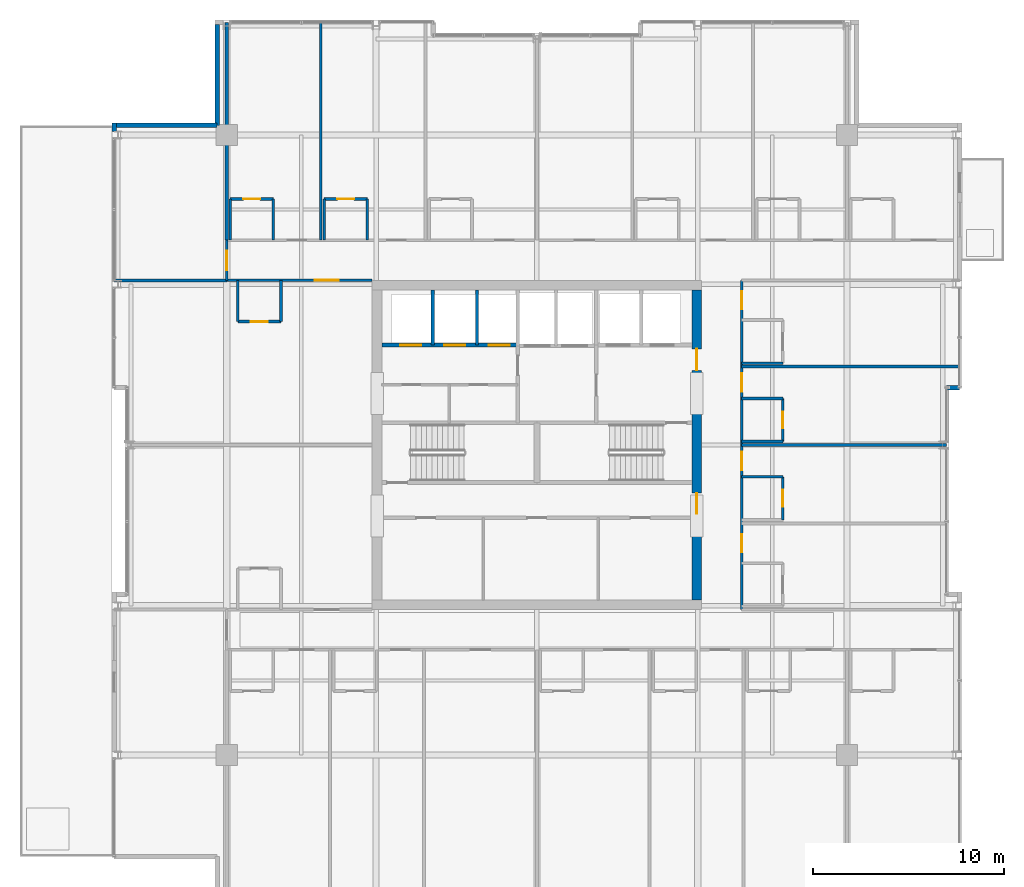
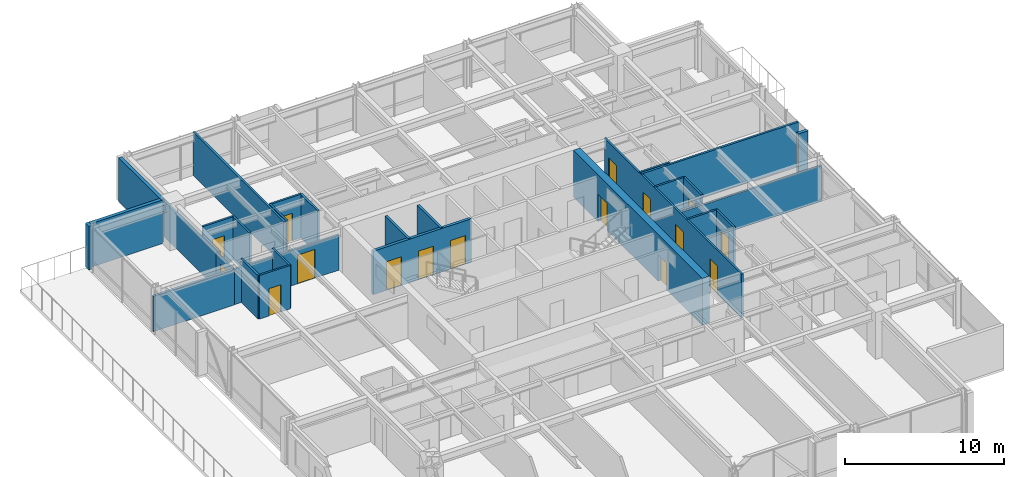
# One storey, part 27 of 32: 31 walls, 16 doors, 16 openings.
"""IFC4 building model written with IfcOpenShell, lengths in metres."""

from ifc_helpers import new_model, si_unit, direction, frame, frame_2d, origin, place, context, subcontext, project, spatial, rectangle, extrude, material, layer, layer_set, type_object, element, fill, save


model = new_model("IFC4")

# Units and contexts
model_context = context("Model", 3, precision=1e-05, world=origin(), true_north=direction((0.0, 1.0)))
body_context = subcontext(model_context, "Body", "Model", "MODEL_VIEW")
ifc_project = project(units=[si_unit("LENGTHUNIT", "METRE"), si_unit("AREAUNIT", "SQUARE_METRE"), si_unit("VOLUMEUNIT", "CUBIC_METRE"), si_unit("PLANEANGLEUNIT", "RADIAN"), si_unit("MASSUNIT", "GRAM", prefix="KILO")], contexts=[model_context])

# Site, building, storey
site_placement = place(None, origin())
site = spatial("IfcSite", under=ifc_project, at=site_placement, CompositionType="ELEMENT")
building_placement = place(site_placement, origin())
building = spatial("IfcBuilding", under=site, at=building_placement, Name="Drelvath Grand Hotel", CompositionType="ELEMENT")
storey_placement = place(building_placement, frame((0.0, 0.0, 205.10009765625)))
storey = spatial("IfcBuildingStorey", under=building, at=storey_placement, Name="L53", CompositionType="ELEMENT", Elevation=205.10009765625)

# Wall, openings, doors
ifc_material_1 = material(Name="Concrete C40/50", Category="concrete")
ifc_layer_1 = layer(ifc_material_1, 0.199951171875)
ifc_layer_set_1 = layer_set([ifc_layer_1], Name="Concrete C40/50")
wall_type_1 = type_object("IfcWallType", Name="Core Hoistway Fire Wall 200", PredefinedType="SOLIDWALL", material=ifc_layer_set_1)
wall_1_placement = place(storey_placement, frame((-8.10009765625, 32.219970703125, 0.0), z_axis=(0.0, 0.0, 1.0), x_axis=(1.0, 0.0, 0.0)))
wall_1 = element("IfcWall", 1, at=wall_1_placement, inside=storey, type_object=wall_type_1, Name="L53 Bank 3 Hoistway Wall", PredefinedType="SOLIDWALL", context=body_context, shape_type="SweptSolid", body=[
    extrude(rectangle(XDim=7.10009765625, YDim=0.199951171875, at=frame_2d((3.550048828125, 0.0))), origin(), (0.0, 0.0, 1.0), 3.33984375),
])
opening_1_placement = place(wall_1_placement, frame((0.949951171875, 0.0, 0.0)))
opening_1 = element("IfcOpeningElement", 2, at=opening_1_placement, cuts=wall_1, Name="Opening LD-PE-7", PredefinedType="OPENING", context=body_context, shape_type="SweptSolid", body=[
    extrude(rectangle(XDim=1.10009765625, YDim=2.199951171875, at=frame_2d((0.550048828125, 1.10009765625))), frame((0.0, 0.10986328125, 0.0), z_axis=(0.0, -1.0, 0.0), x_axis=(1.0, 0.0, 0.0)), (0.0, 0.0, 1.0), 0.219970703125),
])
opening_2_placement = place(wall_1_placement, frame((3.27001953125, 0.0, 0.0)))
opening_2 = element("IfcOpeningElement", 3, at=opening_2_placement, cuts=wall_1, Name="Opening LD-PE-8", PredefinedType="OPENING", context=body_context, shape_type="SweptSolid", body=[
    extrude(rectangle(XDim=1.10009765625, YDim=2.199951171875, at=frame_2d((0.550048828125, 1.10009765625))), frame((0.0, 0.10986328125, 0.0), z_axis=(0.0, -1.0, 0.0), x_axis=(1.0, 0.0, 0.0)), (0.0, 0.0, 1.0), 0.219970703125),
])
opening_3_placement = place(wall_1_placement, frame((5.590087890625, 0.0, 0.0)))
opening_3 = element("IfcOpeningElement", 4, at=opening_3_placement, cuts=wall_1, Name="Opening LD-PE-9", PredefinedType="OPENING", context=body_context, shape_type="SweptSolid", body=[
    extrude(rectangle(XDim=1.10009765625, YDim=2.199951171875, at=frame_2d((0.550048828125, 1.10009765625))), frame((0.0, 0.10986328125, 0.0), z_axis=(0.0, -1.0, 0.0), x_axis=(1.0, 0.0, 0.0)), (0.0, 0.0, 1.0), 0.219970703125),
])
ifc_material_2 = material(Name="Stainless Steel S355", Category="steel")
door_type_1 = type_object("IfcDoorType", Name="Passenger Lift Sliding Landing Door 1100x2200", OperationType="NOTDEFINED", PredefinedType="DOOR", material=ifc_material_2)
door_1_placement = place(opening_1_placement, origin())
door_1 = element("IfcDoor", 5, at=door_1_placement, inside=storey, type_object=door_type_1, Name="L53 Lift PE-7 Landing Door", OperationType="SLIDING_TO_LEFT", OverallHeight=2.199951171875, OverallWidth=1.10009765625, PredefinedType="DOOR", context=body_context, shape_type="SweptSolid", body=[
    extrude(rectangle(XDim=1.10009765625, YDim=2.199951171875, at=frame_2d((0.550048828125, 1.10009765625))), frame((0.0, 0.02490234375, 0.0), z_axis=(0.0, -1.0, 0.0), x_axis=(1.0, 0.0, 0.0)), (0.0, 0.0, 1.0), 0.050048828125),
])
fill(opening_1, door_1)
door_2_placement = place(opening_2_placement, origin())
door_2 = element("IfcDoor", 6, at=door_2_placement, inside=storey, type_object=door_type_1, Name="L53 Lift PE-8 Landing Door", OperationType="SLIDING_TO_LEFT", OverallHeight=2.199951171875, OverallWidth=1.10009765625, PredefinedType="DOOR", context=body_context, shape_type="SweptSolid", body=[
    extrude(rectangle(XDim=1.10009765625, YDim=2.199951171875, at=frame_2d((0.550048828125, 1.10009765625))), frame((0.0, 0.02490234375, 0.0), z_axis=(0.0, -1.0, 0.0), x_axis=(1.0, 0.0, 0.0)), (0.0, 0.0, 1.0), 0.050048828125),
])
fill(opening_2, door_2)
door_3_placement = place(opening_3_placement, origin())
door_3 = element("IfcDoor", 7, at=door_3_placement, inside=storey, type_object=door_type_1, Name="L53 Lift PE-9 Landing Door", OperationType="SLIDING_TO_LEFT", OverallHeight=2.199951171875, OverallWidth=1.10009765625, PredefinedType="DOOR", context=body_context, shape_type="SweptSolid", body=[
    extrude(rectangle(XDim=1.10009765625, YDim=2.199951171875, at=frame_2d((0.550048828125, 1.10009765625))), frame((0.0, 0.02490234375, 0.0), z_axis=(0.0, -1.0, 0.0), x_axis=(1.0, 0.0, 0.0)), (0.0, 0.0, 1.0), 0.050048828125),
])
fill(opening_3, door_3)

# Walls
ifc_material_3 = material(Name="Gypsum Fireboard Partition")
ifc_layer_2 = layer(ifc_material_3, 0.1650390625)
ifc_layer_set_2 = layer_set([ifc_layer_2], Name="Gypsum Fireboard Partition")
wall_type_2 = type_object("IfcWallType", Name="Core Shaft Partition 165", PredefinedType="PARTITIONING", material=ifc_layer_set_2)
for number, where, z_axis, x_axis, name in (
    (8, (-5.43994140625, 32.219970703125, 0.0), (0.0, 0.0, 1.0), (0.0, 1.0, 0.0), "L53 Lift PE-7/8 Divider"),
    (9, (-3.1201171875, 32.219970703125, 0.0), (0.0, 0.0, 1.0), (0.0, 1.0, 0.0), "L53 Lift PE-8/9 Divider"),
):
    element("IfcWall", number, at=place(storey_placement, frame(where, z_axis=z_axis, x_axis=x_axis)), inside=storey, type_object=wall_type_2, Name=name, PredefinedType="PARTITIONING", context=body_context, shape_type="SweptSolid", body=[
        extrude(rectangle(XDim=2.880126953125, YDim=0.1650390625, at=frame_2d((1.43994140625, 0.0))), origin(), (0.0, 0.0, 1.0), 3.33984375),
    ])

# Wall, opening, door
ifc_layer_3 = layer(ifc_material_3, 0.135009765625)
ifc_layer_set_3 = layer_set([ifc_layer_3], Name="Gypsum Fireboard Partition")
wall_type_3 = type_object("IfcWallType", Name="Corridor Fire Barrier Wall 135", PredefinedType="PARTITIONING", material=ifc_layer_set_3)
wall_2_placement = place(storey_placement, frame((-16.199951171875, 35.60009765625, 0.0), z_axis=(0.0, 0.0, 1.0), x_axis=(1.0, 0.0, 0.0)))
wall_2 = element("IfcWall", 10, at=wall_2_placement, inside=storey, type_object=wall_type_3, Name="L53 North Gallery Inner West Wall", PredefinedType="PARTITIONING", context=body_context, shape_type="SweptSolid", body=[
    extrude(rectangle(XDim=7.599853515625, YDim=0.135009765625, at=frame_2d((3.7998046875, 0.0))), origin(), (0.0, 0.0, 1.0), 2.71728515625),
])
opening_4_placement = place(wall_2_placement, frame((4.5849609375, 0.0, 0.0)))
opening_4 = element("IfcOpeningElement", 11, at=opening_4_placement, cuts=wall_2, Name="Opening D-T4G1-058", PredefinedType="OPENING", context=body_context, shape_type="SweptSolid", body=[
    extrude(rectangle(XDim=1.260009765625, YDim=2.199951171875, at=frame_2d((0.6298828125, 1.10009765625))), frame((0.0, 0.077392578125, 0.0), z_axis=(0.0, -1.0, 0.0), x_axis=(1.0, 0.0, 0.0)), (0.0, 0.0, 1.0), 0.155029296875),
])
ifc_material_4 = material(Name="Hardwood Walnut Timber", Category="wood")
door_type_2 = type_object("IfcDoorType", Name="Suite Entrance Fire Door 1260x2200", OperationType="NOTDEFINED", PredefinedType="DOOR", material=ifc_material_4)
door_4_placement = place(opening_4_placement, origin())
door_4 = element("IfcDoor", 12, at=door_4_placement, inside=storey, type_object=door_type_2, Name="L53 Diplomatic Suite Entry Door", OperationType="SINGLE_SWING_LEFT", OverallHeight=2.199951171875, OverallWidth=1.260009765625, PredefinedType="DOOR", context=body_context, shape_type="SweptSolid", body=[
    extrude(rectangle(XDim=1.260009765625, YDim=2.199951171875, at=frame_2d((0.6298828125, 1.10009765625))), frame((0.0, 0.02490234375, 0.0), z_axis=(0.0, -1.0, 0.0), x_axis=(1.0, 0.0, 0.0)), (0.0, 0.0, 1.0), 0.050048828125),
])
fill(opening_4, door_4)

# Wall, openings, doors
wall_3_placement = place(storey_placement, frame((10.699951171875, 18.39990234375, 0.0), z_axis=(0.0, 0.0, 1.0), x_axis=(0.0, 1.0, 0.0)))
wall_3 = element("IfcWall", 13, at=wall_3_placement, inside=storey, type_object=wall_type_3, Name="L53 East Gallery Link Wall", PredefinedType="PARTITIONING", context=body_context, shape_type="SweptSolid", body=[
    extrude(rectangle(XDim=17.2001953125, YDim=0.135009765625, at=frame_2d((8.60009765625, 0.0))), origin(), (0.0, 0.0, 1.0), 3.33984375),
])
opening_5_placement = place(wall_3_placement, frame((2.9873046875, 0.0, 0.0)))
opening_5 = element("IfcOpeningElement", 14, at=opening_5_placement, cuts=wall_3, Name="Opening D-T4G1-048", PredefinedType="OPENING", context=body_context, shape_type="SweptSolid", body=[
    extrude(rectangle(XDim=0.9599609375, YDim=2.14990234375, at=frame_2d((0.47998046875, 1.074951171875))), frame((0.0, 0.077392578125, 0.0), z_axis=(0.0, -1.0, 0.0), x_axis=(1.0, 0.0, 0.0)), (0.0, 0.0, 1.0), 0.155029296875),
])
opening_6_placement = place(wall_3_placement, frame((7.287353515625, 0.0, 0.0)))
opening_6 = element("IfcOpeningElement", 15, at=opening_6_placement, cuts=wall_3, Name="Opening D-T4G1-050", PredefinedType="OPENING", context=body_context, shape_type="SweptSolid", body=[
    extrude(rectangle(XDim=0.9599609375, YDim=2.14990234375, at=frame_2d((0.47998046875, 1.074951171875))), frame((0.0, 0.077392578125, 0.0), z_axis=(0.0, -1.0, 0.0), x_axis=(1.0, 0.0, 0.0)), (0.0, 0.0, 1.0), 0.155029296875),
])
opening_7_placement = place(wall_3_placement, frame((11.382568359375, 0.0, 0.0)))
opening_7 = element("IfcOpeningElement", 16, at=opening_7_placement, cuts=wall_3, Name="Opening D-T4G1-052", PredefinedType="OPENING", context=body_context, shape_type="SweptSolid", body=[
    extrude(rectangle(XDim=0.9599609375, YDim=2.14990234375, at=frame_2d((0.47998046875, 1.074951171875))), frame((0.0, 0.077392578125, 0.0), z_axis=(0.0, -1.0, 0.0), x_axis=(1.0, 0.0, 0.0)), (0.0, 0.0, 1.0), 0.155029296875),
])
opening_8_placement = place(wall_3_placement, frame((15.6826171875, 0.0, 0.0)))
opening_8 = element("IfcOpeningElement", 17, at=opening_8_placement, cuts=wall_3, Name="Opening D-T4G1-054", PredefinedType="OPENING", context=body_context, shape_type="SweptSolid", body=[
    extrude(rectangle(XDim=0.9599609375, YDim=2.14990234375, at=frame_2d((0.47998046875, 1.074951171875))), frame((0.0, 0.077392578125, 0.0), z_axis=(0.0, -1.0, 0.0), x_axis=(1.0, 0.0, 0.0)), (0.0, 0.0, 1.0), 0.155029296875),
])
door_type_3 = type_object("IfcDoorType", Name="Guestroom Entrance Fire Door 960x2150", OperationType="NOTDEFINED", PredefinedType="DOOR", material=ifc_material_4)
door_5_placement = place(opening_5_placement, origin())
door_5 = element("IfcDoor", 18, at=door_5_placement, inside=storey, type_object=door_type_3, Name="L53 Deluxe Guest Room Entry Door", OperationType="SINGLE_SWING_LEFT", OverallHeight=2.14990234375, OverallWidth=0.9599609375, PredefinedType="DOOR", context=body_context, shape_type="SweptSolid", body=[
    extrude(rectangle(XDim=0.9599609375, YDim=2.14990234375, at=frame_2d((0.47998046875, 1.074951171875))), frame((0.0, 0.02490234375, 0.0), z_axis=(0.0, -1.0, 0.0), x_axis=(1.0, 0.0, 0.0)), (0.0, 0.0, 1.0), 0.050048828125),
])
fill(opening_5, door_5)
door_6_placement = place(opening_6_placement, origin())
door_6 = element("IfcDoor", 19, at=door_6_placement, inside=storey, type_object=door_type_3, Name="L53 Deluxe Guest Room Entry Door", OperationType="SINGLE_SWING_LEFT", OverallHeight=2.14990234375, OverallWidth=0.9599609375, PredefinedType="DOOR", context=body_context, shape_type="SweptSolid", body=[
    extrude(rectangle(XDim=0.9599609375, YDim=2.14990234375, at=frame_2d((0.47998046875, 1.074951171875))), frame((0.0, 0.02490234375, 0.0), z_axis=(0.0, -1.0, 0.0), x_axis=(1.0, 0.0, 0.0)), (0.0, 0.0, 1.0), 0.050048828125),
])
fill(opening_6, door_6)
door_7_placement = place(opening_7_placement, origin())
door_7 = element("IfcDoor", 20, at=door_7_placement, inside=storey, type_object=door_type_3, Name="L53 Deluxe Guest Room Entry Door", OperationType="SINGLE_SWING_LEFT", OverallHeight=2.14990234375, OverallWidth=0.9599609375, PredefinedType="DOOR", context=body_context, shape_type="SweptSolid", body=[
    extrude(rectangle(XDim=0.9599609375, YDim=2.14990234375, at=frame_2d((0.47998046875, 1.074951171875))), frame((0.0, 0.02490234375, 0.0), z_axis=(0.0, -1.0, 0.0), x_axis=(1.0, 0.0, 0.0)), (0.0, 0.0, 1.0), 0.050048828125),
])
fill(opening_7, door_7)
door_8_placement = place(opening_8_placement, origin())
door_8 = element("IfcDoor", 21, at=door_8_placement, inside=storey, type_object=door_type_3, Name="L53 Deluxe Guest Room Entry Door", OperationType="SINGLE_SWING_LEFT", OverallHeight=2.14990234375, OverallWidth=0.9599609375, PredefinedType="DOOR", context=body_context, shape_type="SweptSolid", body=[
    extrude(rectangle(XDim=0.9599609375, YDim=2.14990234375, at=frame_2d((0.47998046875, 1.074951171875))), frame((0.0, 0.02490234375, 0.0), z_axis=(0.0, -1.0, 0.0), x_axis=(1.0, 0.0, 0.0)), (0.0, 0.0, 1.0), 0.050048828125),
])
fill(opening_8, door_8)

# Wall, opening, door
wall_4_placement = place(storey_placement, frame((-16.199951171875, 35.60009765625, 0.0), z_axis=(0.0, 0.0, 1.0), x_axis=(0.0, 1.0, 0.0)))
wall_4 = element("IfcWall", 22, at=wall_4_placement, inside=storey, type_object=wall_type_3, Name="L53 North Gallery West End", PredefinedType="PARTITIONING", context=body_context, shape_type="SweptSolid", body=[
    extrude(rectangle(XDim=2.099853515625, YDim=0.135009765625, at=frame_2d((1.0498046875, 0.0))), origin(), (0.0, 0.0, 1.0), 2.713623046875),
])
opening_9_placement = place(wall_4_placement, frame((0.52001953125, 0.0, 0.0)))
opening_9 = element("IfcOpeningElement", 23, at=opening_9_placement, cuts=wall_4, Name="Opening D-T4G1-020", PredefinedType="OPENING", context=body_context, shape_type="SweptSolid", body=[
    extrude(rectangle(XDim=1.02001953125, YDim=2.14990234375, at=frame_2d((0.510009765625, 1.074951171875))), frame((0.0, 0.077392578125, 0.0), z_axis=(0.0, -1.0, 0.0), x_axis=(1.0, 0.0, 0.0)), (0.0, 0.0, 1.0), 0.155029296875),
])
door_type_4 = type_object("IfcDoorType", Name="Amenity Meeting Fire Door 1020x2150", OperationType="NOTDEFINED", PredefinedType="DOOR", material=ifc_material_4)
door_9_placement = place(opening_9_placement, origin())
door_9 = element("IfcDoor", 24, at=door_9_placement, inside=storey, type_object=door_type_4, Name="L53 Corner Panorama Lounge Door", OperationType="SINGLE_SWING_LEFT", OverallHeight=2.14990234375, OverallWidth=1.02001953125, PredefinedType="DOOR", context=body_context, shape_type="SweptSolid", body=[
    extrude(rectangle(XDim=1.02001953125, YDim=2.14990234375, at=frame_2d((0.510009765625, 1.074951171875))), frame((0.0, 0.02490234375, 0.0), z_axis=(0.0, -1.0, 0.0), x_axis=(1.0, 0.0, 0.0)), (0.0, 0.0, 1.0), 0.050048828125),
])
fill(opening_9, door_9)

# Walls
ifc_material_5 = material(Name="Moisture-Resistant Gypsum Board")
ifc_layer_4 = layer(ifc_material_5, 0.139892578125)
ifc_layer_set_4 = layer_set([ifc_layer_4], Name="Moisture-Resistant Gypsum Board")
wall_type_4 = type_object("IfcWallType", Name="En-Suite Plumbing Wall 140", PredefinedType="PLUMBINGWALL", material=ifc_layer_set_4)
wall_5_placement = place(storey_placement, frame((-16.02001953125, 37.699951171875, 0.0), z_axis=(0.0, 0.0, 1.0), x_axis=(0.0, 1.0, 0.0)))
element("IfcWall", 25, at=wall_5_placement, inside=storey, type_object=wall_type_4, Name="L53 En-Suite Left Wall", PredefinedType="PLUMBINGWALL", context=body_context, shape_type="SweptSolid", body=[
    extrude(rectangle(XDim=2.150146484375, YDim=0.139892578125, at=frame_2d((1.0751953125, 0.0))), origin(), (0.0, 0.0, 1.0), 2.713623046875),
])
wall_6_placement = place(storey_placement, frame((-13.77001953125, 37.699951171875, 0.0), z_axis=(0.0, 0.0, 1.0), x_axis=(0.0, 1.0, 0.0)))
element("IfcWall", 26, at=wall_6_placement, inside=storey, type_object=wall_type_4, Name="L53 En-Suite Right Wall", PredefinedType="PLUMBINGWALL", context=body_context, shape_type="SweptSolid", body=[
    extrude(rectangle(XDim=2.150146484375, YDim=0.139892578125, at=frame_2d((1.0751953125, 0.0))), origin(), (0.0, 0.0, 1.0), 3.33984375),
])

# Wall, opening, door
wall_7_placement = place(storey_placement, frame((-16.02001953125, 39.85009765625, 0.0), z_axis=(0.0, 0.0, 1.0), x_axis=(1.0, 0.0, 0.0)))
wall_7 = element("IfcWall", 27, at=wall_7_placement, inside=storey, type_object=wall_type_4, Name="L53 En-Suite Front Wall", PredefinedType="PLUMBINGWALL", context=body_context, shape_type="SweptSolid", body=[
    extrude(rectangle(XDim=2.25, YDim=0.139892578125, at=frame_2d((1.125, 0.0))), origin(), (0.0, 0.0, 1.0), 3.33984375),
])
opening_10_placement = place(wall_7_placement, frame((0.68505859375, 0.0, 0.0)))
opening_10 = element("IfcOpeningElement", 28, at=opening_10_placement, cuts=wall_7, Name="Opening D-T4G1-036", PredefinedType="OPENING", context=body_context, shape_type="SweptSolid", body=[
    extrude(rectangle(XDim=0.8798828125, YDim=2.10009765625, at=frame_2d((0.43994140625, 1.050048828125))), frame((0.0, 0.079833984375, 0.0), z_axis=(0.0, -1.0, 0.0), x_axis=(1.0, 0.0, 0.0)), (0.0, 0.0, 1.0), 0.159912109375),
])
door_type_5 = type_object("IfcDoorType", Name="En-Suite Bathroom Door 880x2100", OperationType="NOTDEFINED", PredefinedType="DOOR", material=ifc_material_4)
door_10_placement = place(opening_10_placement, origin())
door_10 = element("IfcDoor", 29, at=door_10_placement, inside=storey, type_object=door_type_5, Name="L53 En-Suite Bathroom Door", OperationType="SINGLE_SWING_LEFT", OverallHeight=2.10009765625, OverallWidth=0.8798828125, PredefinedType="DOOR", context=body_context, shape_type="SweptSolid", body=[
    extrude(rectangle(XDim=0.8798828125, YDim=2.10009765625, at=frame_2d((0.43994140625, 1.050048828125))), frame((0.0, 0.02490234375, 0.0), z_axis=(0.0, -1.0, 0.0), x_axis=(1.0, 0.0, 0.0)), (0.0, 0.0, 1.0), 0.050048828125),
])
fill(opening_10, door_10)

# Walls
for number, where, z_axis, x_axis, name in (
    (30, (-11.11083984375, 37.699951171875, 0.0), (0.0, 0.0, 1.0), (0.0, 1.0, 0.0), "L53 En-Suite Left Wall"),
    (31, (-8.86083984375, 37.699951171875, 0.0), (0.0, 0.0, 1.0), (0.0, 1.0, 0.0), "L53 En-Suite Right Wall"),
):
    element("IfcWall", number, at=place(storey_placement, frame(where, z_axis=z_axis, x_axis=x_axis)), inside=storey, type_object=wall_type_4, Name=name, PredefinedType="PLUMBINGWALL", context=body_context, shape_type="SweptSolid", body=[
        extrude(rectangle(XDim=2.150146484375, YDim=0.139892578125, at=frame_2d((1.0751953125, 0.0))), origin(), (0.0, 0.0, 1.0), 3.33984375),
    ])

# Wall, opening, door
wall_8_placement = place(storey_placement, frame((-11.11083984375, 39.85009765625, 0.0), z_axis=(0.0, 0.0, 1.0), x_axis=(1.0, 0.0, 0.0)))
wall_8 = element("IfcWall", 32, at=wall_8_placement, inside=storey, type_object=wall_type_4, Name="L53 En-Suite Front Wall", PredefinedType="PLUMBINGWALL", context=body_context, shape_type="SweptSolid", body=[
    extrude(rectangle(XDim=2.25, YDim=0.139892578125, at=frame_2d((1.125, 0.0))), origin(), (0.0, 0.0, 1.0), 3.33984375),
])
opening_11_placement = place(wall_8_placement, frame((0.68505859375, 0.0, 0.0)))
opening_11 = element("IfcOpeningElement", 33, at=opening_11_placement, cuts=wall_8, Name="Opening D-T4G1-038", PredefinedType="OPENING", context=body_context, shape_type="SweptSolid", body=[
    extrude(rectangle(XDim=0.8798828125, YDim=2.10009765625, at=frame_2d((0.43994140625, 1.050048828125))), frame((0.0, 0.079833984375, 0.0), z_axis=(0.0, -1.0, 0.0), x_axis=(1.0, 0.0, 0.0)), (0.0, 0.0, 1.0), 0.159912109375),
])
door_11_placement = place(opening_11_placement, origin())
door_11 = element("IfcDoor", 34, at=door_11_placement, inside=storey, type_object=door_type_5, Name="L53 En-Suite Bathroom Door", OperationType="SINGLE_SWING_LEFT", OverallHeight=2.10009765625, OverallWidth=0.8798828125, PredefinedType="DOOR", context=body_context, shape_type="SweptSolid", body=[
    extrude(rectangle(XDim=0.8798828125, YDim=2.10009765625, at=frame_2d((0.43994140625, 1.050048828125))), frame((0.0, 0.02490234375, 0.0), z_axis=(0.0, -1.0, 0.0), x_axis=(1.0, 0.0, 0.0)), (0.0, 0.0, 1.0), 0.050048828125),
])
fill(opening_11, door_11)

# Wall
wall_9_placement = place(storey_placement, frame((10.699951171875, 25.334716796875, 0.0), z_axis=(0.0, 0.0, 1.0), x_axis=(1.0, 0.0, 0.0)))
element("IfcWall", 35, at=wall_9_placement, inside=storey, type_object=wall_type_4, Name="L53 En-Suite Right Wall", PredefinedType="PLUMBINGWALL", context=body_context, shape_type="SweptSolid", body=[
    extrude(rectangle(XDim=2.150146484375, YDim=0.139892578125, at=frame_2d((1.0751953125, 0.0))), origin(), (0.0, 0.0, 1.0), 3.33984375),
])

# Wall, opening, door
wall_10_placement = place(storey_placement, frame((12.85009765625, 23.084716796875, 0.0), z_axis=(0.0, 0.0, 1.0), x_axis=(0.0, 1.0, 0.0)))
wall_10 = element("IfcWall", 36, at=wall_10_placement, inside=storey, type_object=wall_type_4, Name="L53 En-Suite Front Wall", PredefinedType="PLUMBINGWALL", context=body_context, shape_type="SweptSolid", body=[
    extrude(rectangle(XDim=2.25, YDim=0.139892578125, at=frame_2d((1.125, 0.0))), origin(), (0.0, 0.0, 1.0), 3.33984375),
])
opening_12_placement = place(wall_10_placement, frame((0.68505859375, 0.0, 0.0)))
opening_12 = element("IfcOpeningElement", 37, at=opening_12_placement, cuts=wall_10, Name="Opening D-T4G1-049", PredefinedType="OPENING", context=body_context, shape_type="SweptSolid", body=[
    extrude(rectangle(XDim=0.8798828125, YDim=2.10009765625, at=frame_2d((0.43994140625, 1.050048828125))), frame((0.0, 0.079833984375, 0.0), z_axis=(0.0, -1.0, 0.0), x_axis=(1.0, 0.0, 0.0)), (0.0, 0.0, 1.0), 0.159912109375),
])
door_12_placement = place(opening_12_placement, origin())
door_12 = element("IfcDoor", 38, at=door_12_placement, inside=storey, type_object=door_type_5, Name="L53 En-Suite Bathroom Door", OperationType="SINGLE_SWING_RIGHT", OverallHeight=2.10009765625, OverallWidth=0.8798828125, PredefinedType="DOOR", context=body_context, shape_type="SweptSolid", body=[
    extrude(rectangle(XDim=0.8798828125, YDim=2.10009765625, at=frame_2d((0.43994140625, 1.050048828125))), frame((0.0, 0.02490234375, 0.0), z_axis=(0.0, -1.0, 0.0), x_axis=(1.0, 0.0, 0.0)), (0.0, 0.0, 1.0), 0.050048828125),
])
fill(opening_12, door_12)

# Walls
wall_11_placement = place(storey_placement, frame((10.699951171875, 27.179931640625, 0.0), z_axis=(0.0, 0.0, 1.0), x_axis=(1.0, 0.0, 0.0)))
element("IfcWall", 39, at=wall_11_placement, inside=storey, type_object=wall_type_4, Name="L53 En-Suite Left Wall", PredefinedType="PLUMBINGWALL", context=body_context, shape_type="SweptSolid", body=[
    extrude(rectangle(XDim=2.150146484375, YDim=0.139892578125, at=frame_2d((1.0751953125, 0.0))), origin(), (0.0, 0.0, 1.0), 2.71728515625),
])
wall_12_placement = place(storey_placement, frame((10.699951171875, 29.429931640625, 0.0), z_axis=(0.0, 0.0, 1.0), x_axis=(1.0, 0.0, 0.0)))
element("IfcWall", 40, at=wall_12_placement, inside=storey, type_object=wall_type_4, Name="L53 En-Suite Right Wall", PredefinedType="PLUMBINGWALL", context=body_context, shape_type="SweptSolid", body=[
    extrude(rectangle(XDim=2.150146484375, YDim=0.139892578125, at=frame_2d((1.0751953125, 0.0))), origin(), (0.0, 0.0, 1.0), 3.33984375),
])

# Wall, opening, door
wall_13_placement = place(storey_placement, frame((12.85009765625, 27.179931640625, 0.0), z_axis=(0.0, 0.0, 1.0), x_axis=(0.0, 1.0, 0.0)))
wall_13 = element("IfcWall", 41, at=wall_13_placement, inside=storey, type_object=wall_type_4, Name="L53 En-Suite Front Wall", PredefinedType="PLUMBINGWALL", context=body_context, shape_type="SweptSolid", body=[
    extrude(rectangle(XDim=2.25, YDim=0.139892578125, at=frame_2d((1.125, 0.0))), origin(), (0.0, 0.0, 1.0), 3.33984375),
])
opening_13_placement = place(wall_13_placement, frame((0.68505859375, 0.0, 0.0)))
opening_13 = element("IfcOpeningElement", 42, at=opening_13_placement, cuts=wall_13, Name="Opening D-T4G1-051", PredefinedType="OPENING", context=body_context, shape_type="SweptSolid", body=[
    extrude(rectangle(XDim=0.8798828125, YDim=2.10009765625, at=frame_2d((0.43994140625, 1.050048828125))), frame((0.0, 0.079833984375, 0.0), z_axis=(0.0, -1.0, 0.0), x_axis=(1.0, 0.0, 0.0)), (0.0, 0.0, 1.0), 0.159912109375),
])
door_13_placement = place(opening_13_placement, origin())
door_13 = element("IfcDoor", 43, at=door_13_placement, inside=storey, type_object=door_type_5, Name="L53 En-Suite Bathroom Door", OperationType="SINGLE_SWING_RIGHT", OverallHeight=2.10009765625, OverallWidth=0.8798828125, PredefinedType="DOOR", context=body_context, shape_type="SweptSolid", body=[
    extrude(rectangle(XDim=0.8798828125, YDim=2.10009765625, at=frame_2d((0.43994140625, 1.050048828125))), frame((0.0, 0.02490234375, 0.0), z_axis=(0.0, -1.0, 0.0), x_axis=(1.0, 0.0, 0.0)), (0.0, 0.0, 1.0), 0.050048828125),
])
fill(opening_13, door_13)

# Walls
for number, where, z_axis, x_axis, name in (
    (44, (10.699951171875, 31.275146484375, 0.0), (0.0, 0.0, 1.0), (1.0, 0.0, 0.0), "L53 En-Suite Left Wall"),
    (45, (-15.6201171875, 35.60009765625, 0.0), (0.0, 0.0, 1.0), (0.0, -1.0, 0.0), "L53 En-Suite Left Wall"),
    (46, (-13.3701171875, 35.60009765625, 0.0), (0.0, 0.0, 1.0), (0.0, -1.0, 0.0), "L53 En-Suite Right Wall"),
):
    element("IfcWall", number, at=place(storey_placement, frame(where, z_axis=z_axis, x_axis=x_axis)), inside=storey, type_object=wall_type_4, Name=name, PredefinedType="PLUMBINGWALL", context=body_context, shape_type="SweptSolid", body=[
        extrude(rectangle(XDim=2.150146484375, YDim=0.139892578125, at=frame_2d((1.0751953125, 0.0))), origin(), (0.0, 0.0, 1.0), 3.33984375),
    ])

# Wall, opening, door
wall_14_placement = place(storey_placement, frame((-15.6201171875, 33.449951171875, 0.0), z_axis=(0.0, 0.0, 1.0), x_axis=(1.0, 0.0, 0.0)))
wall_14 = element("IfcWall", 47, at=wall_14_placement, inside=storey, type_object=wall_type_4, Name="L53 En-Suite Front Wall", PredefinedType="PLUMBINGWALL", context=body_context, shape_type="SweptSolid", body=[
    extrude(rectangle(XDim=2.25, YDim=0.139892578125, at=frame_2d((1.125, 0.0))), origin(), (0.0, 0.0, 1.0), 3.33984375),
])
opening_14_placement = place(wall_14_placement, frame((0.68505859375, 0.0, 0.0)))
opening_14 = element("IfcOpeningElement", 48, at=opening_14_placement, cuts=wall_14, Name="Opening D-T4G1-057", PredefinedType="OPENING", context=body_context, shape_type="SweptSolid", body=[
    extrude(rectangle(XDim=0.8798828125, YDim=2.10009765625, at=frame_2d((0.43994140625, 1.050048828125))), frame((0.0, 0.079833984375, 0.0), z_axis=(0.0, -1.0, 0.0), x_axis=(1.0, 0.0, 0.0)), (0.0, 0.0, 1.0), 0.159912109375),
])
door_14_placement = place(opening_14_placement, origin())
door_14 = element("IfcDoor", 49, at=door_14_placement, inside=storey, type_object=door_type_5, Name="L53 En-Suite Bathroom Door", OperationType="SINGLE_SWING_RIGHT", OverallHeight=2.10009765625, OverallWidth=0.8798828125, PredefinedType="DOOR", context=body_context, shape_type="SweptSolid", body=[
    extrude(rectangle(XDim=0.8798828125, YDim=2.10009765625, at=frame_2d((0.43994140625, 1.050048828125))), frame((0.0, 0.02490234375, 0.0), z_axis=(0.0, -1.0, 0.0), x_axis=(1.0, 0.0, 0.0)), (0.0, 0.0, 1.0), 0.050048828125),
])
fill(opening_14, door_14)

# Walls
ifc_material_6 = material(Name="Gypsum Acoustic Partition")
ifc_layer_5 = layer(ifc_material_6, 0.14990234375)
ifc_layer_set_5 = layer_set([ifc_layer_5], Name="Gypsum Acoustic Partition")
wall_type_5 = type_object("IfcWallType", Name="Guestroom Demising Wall 150", PredefinedType="PARTITIONING", material=ifc_layer_set_5)
wall_15_placement = place(storey_placement, frame((-11.291015625, 37.699951171875, 0.0), z_axis=(0.0, 0.0, 1.0), x_axis=(0.0, 1.0, 0.0)))
element("IfcWall", 50, at=wall_15_placement, inside=storey, type_object=wall_type_5, Name="L53 North Demising 1", PredefinedType="PARTITIONING", context=body_context, shape_type="SweptSolid", body=[
    extrude(rectangle(XDim=11.380126953125, YDim=0.14990234375, at=frame_2d((5.68994140625, 0.0))), origin(), (0.0, 0.0, 1.0), 3.33984375),
])
wall_16_placement = place(storey_placement, frame((10.699951171875, 27.0, 0.0), z_axis=(0.0, 0.0, 1.0), x_axis=(1.0, 0.0, 0.0)))
element("IfcWall", 51, at=wall_16_placement, inside=storey, type_object=wall_type_5, Name="L53 East Demising 2", PredefinedType="PARTITIONING", context=body_context, shape_type="SweptSolid", body=[
    extrude(rectangle(XDim=10.699951171875, YDim=0.14990234375, at=frame_2d((5.35009765625, 0.0))), origin(), (0.0, 0.0, 1.0), 2.71728515625),
])
wall_17_placement = place(storey_placement, frame((10.699951171875, 31.09521484375, 0.0), z_axis=(0.0, 0.0, 1.0), x_axis=(1.0, 0.0, 0.0)))
element("IfcWall", 52, at=wall_17_placement, inside=storey, type_object=wall_type_5, Name="L53 East Demising 3", PredefinedType="PARTITIONING", context=body_context, shape_type="SweptSolid", body=[
    extrude(rectangle(XDim=11.380126953125, YDim=0.14990234375, at=frame_2d((5.68994140625, 0.0))), origin(), (0.0, 0.0, 1.0), 3.33984375),
])
ifc_layer_6 = layer(ifc_material_6, 0.1650390625)
ifc_layer_set_6 = layer_set([ifc_layer_6], Name="Gypsum Acoustic Partition")
wall_type_6 = type_object("IfcWallType", Name="Suite Demising Wall 165", PredefinedType="PARTITIONING", material=ifc_layer_set_6)
wall_18_placement = place(storey_placement, frame((-16.199951171875, 37.699951171875, 0.0), z_axis=(0.0, 0.0, 1.0), x_axis=(0.0, 1.0, 0.0)))
element("IfcWall", 53, at=wall_18_placement, inside=storey, type_object=wall_type_6, Name="L53 NW Suite Wall", PredefinedType="PARTITIONING", context=body_context, shape_type="SweptSolid", body=[
    extrude(rectangle(XDim=11.380126953125, YDim=0.1650390625, at=frame_2d((5.68994140625, 0.0))), origin(), (0.0, 0.0, 1.0), 2.713623046875),
])
wall_19_placement = place(storey_placement, frame((-22.080078125, 35.60009765625, 0.0), z_axis=(0.0, 0.0, 1.0), x_axis=(1.0, 0.0, 0.0)))
element("IfcWall", 54, at=wall_19_placement, inside=storey, type_object=wall_type_6, Name="L53 NW Corner South Wall", PredefinedType="PARTITIONING", context=body_context, shape_type="SweptSolid", body=[
    extrude(rectangle(XDim=5.880126953125, YDim=0.1650390625, at=frame_2d((2.93994140625, 0.0))), origin(), (0.0, 0.0, 1.0), 2.713623046875),
])
ifc_material_7 = material(Name="Pale-Metal Insulated Aluminium Spandrel Assembly", Category="aluminium")
ifc_layer_7 = layer(ifc_material_7, 0.239990234375)
ifc_layer_set_7 = layer_set([ifc_layer_7], Name="Pale-Metal Insulated Aluminium Spandrel Assembly")
wall_type_7 = type_object("IfcWallType", Name="Tower Insulated Metal Spandrel Closure Wall 240", PredefinedType="STANDARD", material=ifc_layer_set_7)
wall_20_placement = place(storey_placement, frame((-22.080078125, 43.38525390625, 0.0), z_axis=(0.0, 0.0, 1.0), x_axis=(0.0, 1.0, 0.0)))
element("IfcWall", 55, at=wall_20_placement, inside=storey, type_object=wall_type_7, Name="L53 Corner Pier Spandrel Wall WN3", PredefinedType="STANDARD", context=body_context, shape_type="SweptSolid", body=[
    extrude(rectangle(XDim=0.434814453125, YDim=0.239990234375, at=frame_2d((0.21728515625, 0.0))), origin(), (0.0, 0.0, 1.0), 3.33984375),
])
for number, where, z_axis, x_axis, name in (
    (56, (-21.9599609375, 43.699951171875, 0.0), (0.0, 0.0, 1.0), (1.0, 0.0, 0.0), "L53 Notched Corner Return Spandrel Wall CNW1"),
    (57, (-16.699951171875, 43.699951171875, 0.0), (0.0, 0.0, 1.0), (0.0, 1.0, 0.0), "L53 Notched Corner Return Spandrel Wall CNW2"),
):
    element("IfcWall", number, at=place(storey_placement, frame(where, z_axis=z_axis, x_axis=x_axis)), inside=storey, type_object=wall_type_7, Name=name, PredefinedType="STANDARD", context=body_context, shape_type="SweptSolid", body=[
        extrude(rectangle(XDim=5.260009765625, YDim=0.239990234375, at=frame_2d((2.6298828125, 0.0))), origin(), (0.0, 0.0, 1.0), 3.33984375),
    ])
wall_21_placement = place(storey_placement, frame((22.080078125, 30.0, 0.0), z_axis=(0.0, 0.0, 1.0), x_axis=(-1.0, 0.0, 0.0)))
element("IfcWall", 58, at=wall_21_placement, inside=storey, type_object=wall_type_7, Name="L53 Notched Corner Return Spandrel Wall RE1", PredefinedType="STANDARD", context=body_context, shape_type="SweptSolid", body=[
    extrude(rectangle(XDim=0.68017578125, YDim=0.239990234375, at=frame_2d((0.340087890625, 0.0))), origin(), (0.0, 0.0, 1.0), 3.33984375),
])

# Wall, openings, doors
ifc_material_8 = material(Name="Concrete f'c 55 MPa", Category="concrete")
ifc_layer_8 = layer(ifc_material_8, 0.5)
ifc_layer_set_8 = layer_set([ifc_layer_8], Name="Concrete f'c 55 MPa")
wall_type_8 = type_object("IfcWallType", Name="Upper Core RC Shear Wall 500", PredefinedType="SHEAR", material=ifc_layer_set_8)
wall_22_placement = place(storey_placement, frame((8.35009765625, 35.10009765625, 0.0), z_axis=(0.0, 0.0, 1.0), x_axis=(0.0, -1.0, 0.0)))
wall_22 = element("IfcWall", 59, at=wall_22_placement, inside=storey, type_object=wall_type_8, Name="L53 Central Core Shear Wall E", PredefinedType="SHEAR", context=body_context, shape_type="SweptSolid", body=[
    extrude(rectangle(XDim=16.2001953125, YDim=0.5, at=frame_2d((8.10009765625, 0.0))), origin(), (0.0, 0.0, 1.0), 3.599853515625),
])
opening_15_placement = place(wall_22_placement, frame((3.080078125, 0.0, 0.0)))
opening_15 = element("IfcOpeningElement", 60, at=opening_15_placement, cuts=wall_22, Name="Opening D-T4G1-006", PredefinedType="OPENING", context=body_context, shape_type="SweptSolid", body=[
    extrude(rectangle(XDim=1.1201171875, YDim=2.10009765625, at=frame_2d((0.56005859375, 1.050048828125))), frame((0.0, 0.260009765625, 0.0), z_axis=(0.0, -1.0, 0.0), x_axis=(1.0, 0.0, 0.0)), (0.0, 0.0, 1.0), 0.52001953125),
])
opening_16_placement = place(wall_22_placement, frame((10.6201171875, 0.0, 0.0)))
opening_16 = element("IfcOpeningElement", 61, at=opening_16_placement, cuts=wall_22, Name="Opening D-T4G1-015", PredefinedType="OPENING", context=body_context, shape_type="SweptSolid", body=[
    extrude(rectangle(XDim=1.080078125, YDim=2.0400390625, at=frame_2d((0.5400390625, 1.02001953125))), frame((0.0, 0.260009765625, 0.0), z_axis=(0.0, -1.0, 0.0), x_axis=(1.0, 0.0, 0.0)), (0.0, 0.0, 1.0), 0.52001953125),
])
ifc_material_9 = material(Name="Painted Steel S275", Category="steel")
door_type_6 = type_object("IfcDoorType", Name="Core Corridor Fire Door 1080x2100", OperationType="NOTDEFINED", PredefinedType="DOOR", material=ifc_material_9)
door_15_placement = place(opening_16_placement, origin())
door_15 = element("IfcDoor", 62, at=door_15_placement, inside=storey, type_object=door_type_6, Name="L53 Core Passage East Door", OperationType="SINGLE_SWING_RIGHT", OverallHeight=2.0400390625, OverallWidth=1.080078125, PredefinedType="DOOR", context=body_context, shape_type="SweptSolid", body=[
    extrude(rectangle(XDim=1.080078125, YDim=2.0400390625, at=frame_2d((0.5400390625, 1.02001953125))), frame((0.0, 0.02490234375, 0.0), z_axis=(0.0, -1.0, 0.0), x_axis=(1.0, 0.0, 0.0)), (0.0, 0.0, 1.0), 0.050048828125),
])
fill(opening_16, door_15)
door_type_7 = type_object("IfcDoorType", Name="FSAE Smoke Lobby Fire Door 1120x2100", OperationType="NOTDEFINED", PredefinedType="DOOR", material=ifc_material_9)
door_16_placement = place(opening_15_placement, origin())
door_16 = element("IfcDoor", 63, at=door_16_placement, inside=storey, type_object=door_type_7, Name="L53 FSAE Lobby East Corridor Door", OperationType="SINGLE_SWING_LEFT", OverallHeight=2.10009765625, OverallWidth=1.1201171875, PredefinedType="DOOR", context=body_context, shape_type="SweptSolid", body=[
    extrude(rectangle(XDim=1.1201171875, YDim=2.10009765625, at=frame_2d((0.56005859375, 1.050048828125))), frame((0.0, 0.02490234375, 0.0), z_axis=(0.0, -1.0, 0.0), x_axis=(1.0, 0.0, 0.0)), (0.0, 0.0, 1.0), 0.050048828125),
])
fill(opening_15, door_16)

save(model, "model.ifc")
